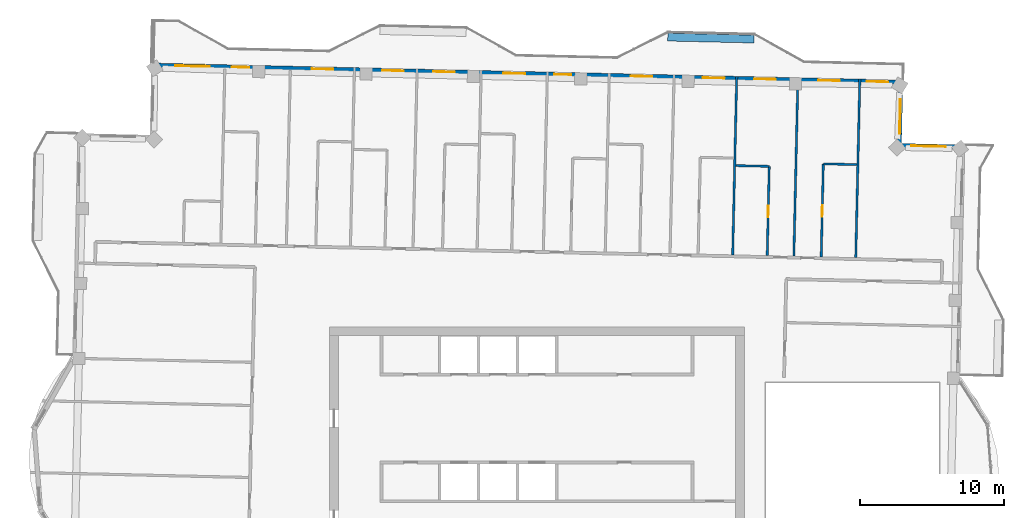
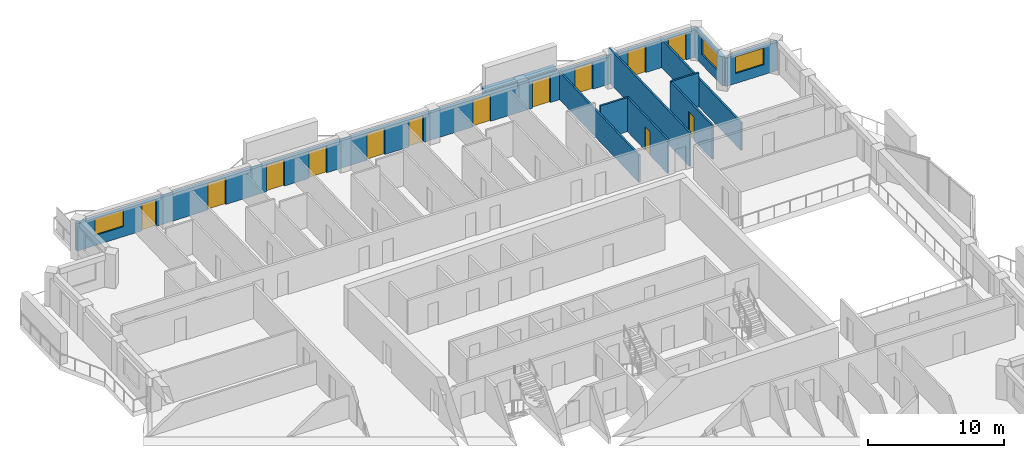
# One storey, part 10 of 15: 13 doors, 11 walls, 3 windows, 16 openings.
"""IFC4 building model written with IfcOpenShell, lengths in metres."""

from ifc_helpers import new_model, si_unit, direction, frame, frame_2d, origin, place, context, subcontext, project, spatial, rectangle, extrude, material, layer, layer_set, type_object, element, fill, save


model = new_model("IFC4")

# Units and contexts
model_context = context("Model", 3, precision=1e-05, world=origin(), true_north=direction((0.0, 1.0)))
body_context = subcontext(model_context, "Body", "Model", "MODEL_VIEW")
ifc_project = project(units=[si_unit("LENGTHUNIT", "METRE"), si_unit("AREAUNIT", "SQUARE_METRE"), si_unit("VOLUMEUNIT", "CUBIC_METRE"), si_unit("PLANEANGLEUNIT", "RADIAN"), si_unit("MASSUNIT", "GRAM", prefix="KILO")], contexts=[model_context])

# Site, building, storey
site_placement = place(None, origin())
site = spatial("IfcSite", under=ifc_project, at=site_placement, CompositionType="ELEMENT")
building_placement = place(site_placement, origin())
building = spatial("IfcBuilding", under=site, at=building_placement, Name="Mangrove Gate Tower", CompositionType="ELEMENT")
storey_placement = place(building_placement, frame((0.0, 0.0, 316.89990234375)))
storey = spatial("IfcBuildingStorey", under=building, at=storey_placement, Name="L81", CompositionType="ELEMENT", Elevation=316.89990234375)

# Wall, opening, window
ifc_material_1 = material(Name="Limestone", Category="masonry")
ifc_layer_1 = layer(ifc_material_1, 0.0400390625, Name="Limestone cladding")
ifc_material_2 = material(Name="Ventilated air gap")
ifc_layer_2 = layer(ifc_material_2, 0.0400390625, Name="Ventilated cavity")
ifc_material_3 = material(Name="Mineral wool insulation")
ifc_layer_3 = layer(ifc_material_3, 0.06005859375, Name="Insulation")
ifc_material_4 = material(Name="Breather membrane")
ifc_layer_4 = layer(ifc_material_4, 0.001953125, Name="Breather membrane")
ifc_material_5 = material(Name="Concrete C20/25 blockwork", Category="masonry")
ifc_layer_5 = layer(ifc_material_5, 0.14990234375, Name="Blockwork backing wall")
ifc_material_6 = material(Name="Gypsum plaster")
ifc_layer_6 = layer(ifc_material_6, 0.008056640625, Name="Internal plaster")
ifc_layer_set_1 = layer_set([ifc_layer_1, ifc_layer_2, ifc_layer_3, ifc_layer_4, ifc_layer_5, ifc_layer_6], Name="External wall 300 limestone cladding")
wall_type_1 = type_object("IfcWallType", Name="External wall 300 limestone cladding", PredefinedType="SOLIDWALL", material=ifc_layer_set_1)
wall_1_placement = place(storey_placement, frame((29.56298828125, 23.89892578125, 0.0), z_axis=(0.0, 0.0, 1.0), x_axis=(-0.999741204967, 0.022749133868, 0.0)))
wall_1 = element("IfcWall", 1, at=wall_1_placement, inside=storey, type_object=wall_type_1, Name="WALL-L81-N3", PredefinedType="SOLIDWALL", context=body_context, shape_type="SweptSolid", body=[
    extrude(rectangle(XDim=4.400146484375, YDim=0.300048828125, at=frame_2d((2.2001953125, 0.0))), origin(), (0.0, 0.0, 1.0), 2.550048828125),
])
opening_1_placement = place(wall_1_placement, frame((1.1640625, 0.0, 0.89990234375)))
opening_1 = element("IfcOpeningElement", 2, at=opening_1_placement, cuts=wall_1, Name="Opening W2", PredefinedType="OPENING", context=body_context, shape_type="SweptSolid", body=[
    extrude(rectangle(XDim=2.39990234375, YDim=1.5, at=frame_2d((1.199951171875, 0.75))), frame((0.0, 0.159912109375, 0.0), z_axis=(0.0, -1.0, 0.0), x_axis=(1.0, 0.0, 0.0)), (0.0, 0.0, 1.0), 0.320068359375),
])
ifc_material_7 = material(Name="Aluminium frame with double-glazed low-e glass", Category="aluminium")
window_type = type_object("IfcWindowType", Name="Corner room window 2400x1500", PartitioningType="DOUBLE_PANEL_VERTICAL", PredefinedType="WINDOW", material=ifc_material_7)
window_1_placement = place(opening_1_placement, origin())
window_1 = element("IfcWindow", 3, at=window_1_placement, inside=storey, type_object=window_type, Name="WIN-L81-N3-1", OverallHeight=1.5, OverallWidth=2.39990234375, PartitioningType="DOUBLE_PANEL_VERTICAL", PredefinedType="WINDOW", context=body_context, shape_type="SweptSolid", body=[
    extrude(rectangle(XDim=2.39990234375, YDim=1.5, at=frame_2d((1.199951171875, 0.75))), frame((0.0, 0.030029296875, 0.0), z_axis=(0.0, -1.0, 0.0), x_axis=(1.0, 0.0, 0.0)), (0.0, 0.0, 1.0), 0.06005859375),
])
fill(opening_1, window_1)

wall_2_placement = place(storey_placement, frame((25.1640625, 23.9990234375, 0.0), z_axis=(0.0, 0.0, 1.0), x_axis=(0.02269871331, 0.999742351016, 0.0)))
wall_2 = element("IfcWall", 4, at=wall_2_placement, inside=storey, type_object=wall_type_1, Name="WALL-L81-E4", PredefinedType="SOLIDWALL", context=body_context, shape_type="SweptSolid", body=[
    extrude(rectangle(XDim=4.399169921875, YDim=0.300048828125, at=frame_2d((2.19970703125, 0.0))), origin(), (0.0, 0.0, 1.0), 2.550048828125),
])
opening_2_placement = place(wall_2_placement, frame((0.825927734375, 0.0, 0.89990234375)))
opening_2 = element("IfcOpeningElement", 5, at=opening_2_placement, cuts=wall_2, Name="Opening W2", PredefinedType="OPENING", context=body_context, shape_type="SweptSolid", body=[
    extrude(rectangle(XDim=2.39990234375, YDim=1.5, at=frame_2d((1.199951171875, 0.75))), frame((0.0, 0.159912109375, 0.0), z_axis=(0.0, -1.0, 0.0), x_axis=(1.0, 0.0, 0.0)), (0.0, 0.0, 1.0), 0.320068359375),
])
window_2_placement = place(opening_2_placement, origin())
window_2 = element("IfcWindow", 6, at=window_2_placement, inside=storey, type_object=window_type, Name="WIN-L81-E4-1", OverallHeight=1.5, OverallWidth=2.39990234375, PartitioningType="DOUBLE_PANEL_VERTICAL", PredefinedType="WINDOW", context=body_context, shape_type="SweptSolid", body=[
    extrude(rectangle(XDim=2.39990234375, YDim=1.5, at=frame_2d((1.199951171875, 0.75))), frame((0.0, 0.030029296875, 0.0), z_axis=(0.0, -1.0, 0.0), x_axis=(1.0, 0.0, 0.0)), (0.0, 0.0, 1.0), 0.06005859375),
])
fill(opening_2, window_2)

# Wall, openings, doors, window
wall_3_placement = place(storey_placement, frame((25.263916015625, 28.39697265625, 0.0), z_axis=(0.0, 0.0, 1.0), x_axis=(-0.999742391375, 0.022696935658, 0.0)))
wall_3 = element("IfcWall", 7, at=wall_3_placement, inside=storey, type_object=wall_type_1, Name="WALL-L81-N5", PredefinedType="SOLIDWALL", context=body_context, shape_type="SweptSolid", body=[
    extrude(rectangle(XDim=51.900390625, YDim=0.300048828125, at=frame_2d((25.9501953125, 0.0))), origin(), (0.0, 0.0, 1.0), 2.4501953125),
])
opening_3_placement = place(wall_3_placement, frame((0.8740234375, 0.0, 0.0)))
opening_3 = element("IfcOpeningElement", 8, at=opening_3_placement, cuts=wall_3, Name="Opening BD1", PredefinedType="OPENING", context=body_context, shape_type="SweptSolid", body=[
    extrude(rectangle(XDim=1.5, YDim=2.39990234375, at=frame_2d((0.75, 1.199951171875))), frame((0.0, 0.159912109375, 0.0), z_axis=(0.0, -1.0, 0.0), x_axis=(1.0, 0.0, 0.0)), (0.0, 0.0, 1.0), 0.320068359375),
])
opening_4_placement = place(wall_3_placement, frame((4.240966796875, 0.0, 0.0)))
opening_4 = element("IfcOpeningElement", 9, at=opening_4_placement, cuts=wall_3, Name="Opening BD1", PredefinedType="OPENING", context=body_context, shape_type="SweptSolid", body=[
    extrude(rectangle(XDim=1.5, YDim=2.39990234375, at=frame_2d((0.75, 1.199951171875))), frame((0.0, 0.159912109375, 0.0), z_axis=(0.0, -1.0, 0.0), x_axis=(1.0, 0.0, 0.0)), (0.0, 0.0, 1.0), 0.320068359375),
])
opening_5_placement = place(wall_3_placement, frame((8.69091796875, 0.0, 0.0)))
opening_5 = element("IfcOpeningElement", 10, at=opening_5_placement, cuts=wall_3, Name="Opening BD1", PredefinedType="OPENING", context=body_context, shape_type="SweptSolid", body=[
    extrude(rectangle(XDim=1.5, YDim=2.39990234375, at=frame_2d((0.75, 1.199951171875))), frame((0.0, 0.159912109375, 0.0), z_axis=(0.0, -1.0, 0.0), x_axis=(1.0, 0.0, 0.0)), (0.0, 0.0, 1.0), 0.320068359375),
])
opening_6_placement = place(wall_3_placement, frame((12.2451171875, 0.0, 0.0)))
opening_6 = element("IfcOpeningElement", 11, at=opening_6_placement, cuts=wall_3, Name="Opening BD1", PredefinedType="OPENING", context=body_context, shape_type="SweptSolid", body=[
    extrude(rectangle(XDim=1.5, YDim=2.39990234375, at=frame_2d((0.75, 1.199951171875))), frame((0.0, 0.159912109375, 0.0), z_axis=(0.0, -1.0, 0.0), x_axis=(1.0, 0.0, 0.0)), (0.0, 0.0, 1.0), 0.320068359375),
])
opening_7_placement = place(wall_3_placement, frame((17.25, 0.0, 0.0)))
opening_7 = element("IfcOpeningElement", 12, at=opening_7_placement, cuts=wall_3, Name="Opening BD1", PredefinedType="OPENING", context=body_context, shape_type="SweptSolid", body=[
    extrude(rectangle(XDim=1.5, YDim=2.39990234375, at=frame_2d((0.75, 1.199951171875))), frame((0.0, 0.159912109375, 0.0), z_axis=(0.0, -1.0, 0.0), x_axis=(1.0, 0.0, 0.0)), (0.0, 0.0, 1.0), 0.320068359375),
])
opening_8_placement = place(wall_3_placement, frame((22.8740234375, 0.0, 0.0)))
opening_8 = element("IfcOpeningElement", 13, at=opening_8_placement, cuts=wall_3, Name="Opening BD2", PredefinedType="OPENING", context=body_context, shape_type="SweptSolid", body=[
    extrude(rectangle(XDim=1.199951171875, YDim=2.39990234375, at=frame_2d((0.60009765625, 1.199951171875))), frame((0.0, 0.159912109375, 0.0), z_axis=(0.0, -1.0, 0.0), x_axis=(1.0, 0.0, 0.0)), (0.0, 0.0, 1.0), 0.320068359375),
])
opening_9_placement = place(wall_3_placement, frame((26.10009765625, 0.0, 0.0)))
opening_9 = element("IfcOpeningElement", 14, at=opening_9_placement, cuts=wall_3, Name="Opening BD1", PredefinedType="OPENING", context=body_context, shape_type="SweptSolid", body=[
    extrude(rectangle(XDim=1.5, YDim=2.39990234375, at=frame_2d((0.75, 1.199951171875))), frame((0.0, 0.159912109375, 0.0), z_axis=(0.0, -1.0, 0.0), x_axis=(1.0, 0.0, 0.0)), (0.0, 0.0, 1.0), 0.320068359375),
])
opening_10_placement = place(wall_3_placement, frame((30.97705078125, 0.0, 0.0)))
opening_10 = element("IfcOpeningElement", 15, at=opening_10_placement, cuts=wall_3, Name="Opening BD1", PredefinedType="OPENING", context=body_context, shape_type="SweptSolid", body=[
    extrude(rectangle(XDim=1.5, YDim=2.39990234375, at=frame_2d((0.75, 1.199951171875))), frame((0.0, 0.159912109375, 0.0), z_axis=(0.0, -1.0, 0.0), x_axis=(1.0, 0.0, 0.0)), (0.0, 0.0, 1.0), 0.320068359375),
])
opening_11_placement = place(wall_3_placement, frame((34.530029296875, 0.0, 0.0)))
opening_11 = element("IfcOpeningElement", 16, at=opening_11_placement, cuts=wall_3, Name="Opening BD1", PredefinedType="OPENING", context=body_context, shape_type="SweptSolid", body=[
    extrude(rectangle(XDim=1.5, YDim=2.39990234375, at=frame_2d((0.75, 1.199951171875))), frame((0.0, 0.159912109375, 0.0), z_axis=(0.0, -1.0, 0.0), x_axis=(1.0, 0.0, 0.0)), (0.0, 0.0, 1.0), 0.320068359375),
])
opening_12_placement = place(wall_3_placement, frame((39.425048828125, 0.0, 0.0)))
opening_12 = element("IfcOpeningElement", 17, at=opening_12_placement, cuts=wall_3, Name="Opening BD1", PredefinedType="OPENING", context=body_context, shape_type="SweptSolid", body=[
    extrude(rectangle(XDim=1.5, YDim=2.39990234375, at=frame_2d((0.75, 1.199951171875))), frame((0.0, 0.159912109375, 0.0), z_axis=(0.0, -1.0, 0.0), x_axis=(1.0, 0.0, 0.0)), (0.0, 0.0, 1.0), 0.320068359375),
])
opening_13_placement = place(wall_3_placement, frame((45.259033203125, 0.0, 0.0)))
opening_13 = element("IfcOpeningElement", 18, at=opening_13_placement, cuts=wall_3, Name="Opening BD2", PredefinedType="OPENING", context=body_context, shape_type="SweptSolid", body=[
    extrude(rectangle(XDim=1.199951171875, YDim=2.39990234375, at=frame_2d((0.60009765625, 1.199951171875))), frame((0.0, 0.159912109375, 0.0), z_axis=(0.0, -1.0, 0.0), x_axis=(1.0, 0.0, 0.0)), (0.0, 0.0, 1.0), 0.320068359375),
])
opening_14_placement = place(wall_3_placement, frame((47.987060546875, 0.0, 0.89990234375)))
opening_14 = element("IfcOpeningElement", 19, at=opening_14_placement, cuts=wall_3, Name="Opening W2", PredefinedType="OPENING", context=body_context, shape_type="SweptSolid", body=[
    extrude(rectangle(XDim=2.39990234375, YDim=1.5, at=frame_2d((1.199951171875, 0.75))), frame((0.0, 0.159912109375, 0.0), z_axis=(0.0, -1.0, 0.0), x_axis=(1.0, 0.0, 0.0)), (0.0, 0.0, 1.0), 0.320068359375),
])
ifc_material_8 = material(Name="Aluminium frame with laminated clear glass", Category="aluminium")
door_type_1 = type_object("IfcDoorType", Name="Balcony sliding door 1200x2400", OperationType="SLIDING_TO_LEFT", PredefinedType="DOOR", material=ifc_material_8)
door_1_placement = place(opening_8_placement, origin())
door_1 = element("IfcDoor", 20, at=door_1_placement, inside=storey, type_object=door_type_1, Name="DOOR-L81-N5-6", OperationType="SLIDING_TO_LEFT", OverallHeight=2.39990234375, OverallWidth=1.199951171875, PredefinedType="DOOR", context=body_context, shape_type="SweptSolid", body=[
    extrude(rectangle(XDim=1.199951171875, YDim=2.39990234375, at=frame_2d((0.60009765625, 1.199951171875))), frame((0.0, 0.02490234375, 0.0), z_axis=(0.0, -1.0, 0.0), x_axis=(1.0, 0.0, 0.0)), (0.0, 0.0, 1.0), 0.050048828125),
])
fill(opening_8, door_1)
door_2_placement = place(opening_13_placement, origin())
door_2 = element("IfcDoor", 21, at=door_2_placement, inside=storey, type_object=door_type_1, Name="DOOR-L81-N5-11", OperationType="SLIDING_TO_LEFT", OverallHeight=2.39990234375, OverallWidth=1.199951171875, PredefinedType="DOOR", context=body_context, shape_type="SweptSolid", body=[
    extrude(rectangle(XDim=1.199951171875, YDim=2.39990234375, at=frame_2d((0.60009765625, 1.199951171875))), frame((0.0, 0.02490234375, 0.0), z_axis=(0.0, -1.0, 0.0), x_axis=(1.0, 0.0, 0.0)), (0.0, 0.0, 1.0), 0.050048828125),
])
fill(opening_13, door_2)
ifc_material_9 = material(Name="Aluminium frame with laminated clear glass", Category="aluminium")
door_type_2 = type_object("IfcDoorType", Name="Balcony sliding door 1500x2400", OperationType="SLIDING_TO_LEFT", PredefinedType="DOOR", material=ifc_material_9)
door_3_placement = place(opening_3_placement, origin())
door_3 = element("IfcDoor", 22, at=door_3_placement, inside=storey, type_object=door_type_2, Name="DOOR-L81-N5-1", OperationType="SLIDING_TO_LEFT", OverallHeight=2.39990234375, OverallWidth=1.5, PredefinedType="DOOR", context=body_context, shape_type="SweptSolid", body=[
    extrude(rectangle(XDim=1.5, YDim=2.39990234375, at=frame_2d((0.75, 1.199951171875))), frame((0.0, 0.02490234375, 0.0), z_axis=(0.0, -1.0, 0.0), x_axis=(1.0, 0.0, 0.0)), (0.0, 0.0, 1.0), 0.050048828125),
])
fill(opening_3, door_3)
door_4_placement = place(opening_4_placement, origin())
door_4 = element("IfcDoor", 23, at=door_4_placement, inside=storey, type_object=door_type_2, Name="DOOR-L81-N5-2", OperationType="SLIDING_TO_LEFT", OverallHeight=2.39990234375, OverallWidth=1.5, PredefinedType="DOOR", context=body_context, shape_type="SweptSolid", body=[
    extrude(rectangle(XDim=1.5, YDim=2.39990234375, at=frame_2d((0.75, 1.199951171875))), frame((0.0, 0.02490234375, 0.0), z_axis=(0.0, -1.0, 0.0), x_axis=(1.0, 0.0, 0.0)), (0.0, 0.0, 1.0), 0.050048828125),
])
fill(opening_4, door_4)
door_5_placement = place(opening_5_placement, origin())
door_5 = element("IfcDoor", 24, at=door_5_placement, inside=storey, type_object=door_type_2, Name="DOOR-L81-N5-3", OperationType="SLIDING_TO_LEFT", OverallHeight=2.39990234375, OverallWidth=1.5, PredefinedType="DOOR", context=body_context, shape_type="SweptSolid", body=[
    extrude(rectangle(XDim=1.5, YDim=2.39990234375, at=frame_2d((0.75, 1.199951171875))), frame((0.0, 0.02490234375, 0.0), z_axis=(0.0, -1.0, 0.0), x_axis=(1.0, 0.0, 0.0)), (0.0, 0.0, 1.0), 0.050048828125),
])
fill(opening_5, door_5)
door_6_placement = place(opening_6_placement, origin())
door_6 = element("IfcDoor", 25, at=door_6_placement, inside=storey, type_object=door_type_2, Name="DOOR-L81-N5-4", OperationType="SLIDING_TO_LEFT", OverallHeight=2.39990234375, OverallWidth=1.5, PredefinedType="DOOR", context=body_context, shape_type="SweptSolid", body=[
    extrude(rectangle(XDim=1.5, YDim=2.39990234375, at=frame_2d((0.75, 1.199951171875))), frame((0.0, 0.02490234375, 0.0), z_axis=(0.0, -1.0, 0.0), x_axis=(1.0, 0.0, 0.0)), (0.0, 0.0, 1.0), 0.050048828125),
])
fill(opening_6, door_6)
door_7_placement = place(opening_7_placement, origin())
door_7 = element("IfcDoor", 26, at=door_7_placement, inside=storey, type_object=door_type_2, Name="DOOR-L81-N5-5", OperationType="SLIDING_TO_LEFT", OverallHeight=2.39990234375, OverallWidth=1.5, PredefinedType="DOOR", context=body_context, shape_type="SweptSolid", body=[
    extrude(rectangle(XDim=1.5, YDim=2.39990234375, at=frame_2d((0.75, 1.199951171875))), frame((0.0, 0.02490234375, 0.0), z_axis=(0.0, -1.0, 0.0), x_axis=(1.0, 0.0, 0.0)), (0.0, 0.0, 1.0), 0.050048828125),
])
fill(opening_7, door_7)
door_8_placement = place(opening_9_placement, origin())
door_8 = element("IfcDoor", 27, at=door_8_placement, inside=storey, type_object=door_type_2, Name="DOOR-L81-N5-7", OperationType="SLIDING_TO_LEFT", OverallHeight=2.39990234375, OverallWidth=1.5, PredefinedType="DOOR", context=body_context, shape_type="SweptSolid", body=[
    extrude(rectangle(XDim=1.5, YDim=2.39990234375, at=frame_2d((0.75, 1.199951171875))), frame((0.0, 0.02490234375, 0.0), z_axis=(0.0, -1.0, 0.0), x_axis=(1.0, 0.0, 0.0)), (0.0, 0.0, 1.0), 0.050048828125),
])
fill(opening_9, door_8)
door_9_placement = place(opening_10_placement, origin())
door_9 = element("IfcDoor", 28, at=door_9_placement, inside=storey, type_object=door_type_2, Name="DOOR-L81-N5-8", OperationType="SLIDING_TO_LEFT", OverallHeight=2.39990234375, OverallWidth=1.5, PredefinedType="DOOR", context=body_context, shape_type="SweptSolid", body=[
    extrude(rectangle(XDim=1.5, YDim=2.39990234375, at=frame_2d((0.75, 1.199951171875))), frame((0.0, 0.02490234375, 0.0), z_axis=(0.0, -1.0, 0.0), x_axis=(1.0, 0.0, 0.0)), (0.0, 0.0, 1.0), 0.050048828125),
])
fill(opening_10, door_9)
door_10_placement = place(opening_11_placement, origin())
door_10 = element("IfcDoor", 29, at=door_10_placement, inside=storey, type_object=door_type_2, Name="DOOR-L81-N5-9", OperationType="SLIDING_TO_LEFT", OverallHeight=2.39990234375, OverallWidth=1.5, PredefinedType="DOOR", context=body_context, shape_type="SweptSolid", body=[
    extrude(rectangle(XDim=1.5, YDim=2.39990234375, at=frame_2d((0.75, 1.199951171875))), frame((0.0, 0.02490234375, 0.0), z_axis=(0.0, -1.0, 0.0), x_axis=(1.0, 0.0, 0.0)), (0.0, 0.0, 1.0), 0.050048828125),
])
fill(opening_11, door_10)
door_11_placement = place(opening_12_placement, origin())
door_11 = element("IfcDoor", 30, at=door_11_placement, inside=storey, type_object=door_type_2, Name="DOOR-L81-N5-10", OperationType="SLIDING_TO_LEFT", OverallHeight=2.39990234375, OverallWidth=1.5, PredefinedType="DOOR", context=body_context, shape_type="SweptSolid", body=[
    extrude(rectangle(XDim=1.5, YDim=2.39990234375, at=frame_2d((0.75, 1.199951171875))), frame((0.0, 0.02490234375, 0.0), z_axis=(0.0, -1.0, 0.0), x_axis=(1.0, 0.0, 0.0)), (0.0, 0.0, 1.0), 0.050048828125),
])
fill(opening_12, door_11)
window_3_placement = place(opening_14_placement, origin())
window_3 = element("IfcWindow", 31, at=window_3_placement, inside=storey, type_object=window_type, Name="WIN-L81-N5-12", OverallHeight=1.5, OverallWidth=2.39990234375, PartitioningType="DOUBLE_PANEL_VERTICAL", PredefinedType="WINDOW", context=body_context, shape_type="SweptSolid", body=[
    extrude(rectangle(XDim=2.39990234375, YDim=1.5, at=frame_2d((1.199951171875, 0.75))), frame((0.0, 0.030029296875, 0.0), z_axis=(0.0, -1.0, 0.0), x_axis=(1.0, 0.0, 0.0)), (0.0, 0.0, 1.0), 0.06005859375),
])
fill(opening_14, window_3)

# Wall
ifc_material_10 = material(Name="Gypsum board on steel stud, EI 60", Category="steel")
ifc_layer_7 = layer(ifc_material_10, 0.14990234375)
ifc_layer_set_2 = layer_set([ifc_layer_7], Name="Party wall 150 EI 60")
wall_type_2 = type_object("IfcWallType", Name="Party wall 150 EI 60", PredefinedType="PARTITIONING", material=ifc_layer_set_2)
wall_4_placement = place(storey_placement, frame((13.589111328125, 16.408935546875, 0.0), z_axis=(0.0, 0.0, 1.0), x_axis=(0.022661475803, 0.999743195783, 0.0)))
element("IfcWall", 32, at=wall_4_placement, inside=storey, type_object=wall_type_2, Name="WALL-L81-077", PredefinedType="PARTITIONING", context=body_context, shape_type="SweptSolid", body=[
    extrude(rectangle(XDim=12.400146484375, YDim=0.14990234375, at=frame_2d((6.2001953125, 0.0))), origin(), (0.0, 0.0, 1.0), 2.4501953125),
])

# Wall, opening, door
wall_5_placement = place(storey_placement, frame((15.988037109375, 16.35498046875, 0.0), z_axis=(0.0, 0.0, 1.0), x_axis=(0.022722299893, 0.999741815214, 0.0)))
wall_5 = element("IfcWall", 33, at=wall_5_placement, inside=storey, type_object=wall_type_2, Name="WALL-L81-078", PredefinedType="PARTITIONING", context=body_context, shape_type="SweptSolid", body=[
    extrude(rectangle(XDim=6.19970703125, YDim=0.14990234375, at=frame_2d((3.099853515625, 0.0))), origin(), (0.0, 0.0, 1.0), 3.050048828125),
])
opening_15_placement = place(wall_5_placement, frame((2.64990234375, 0.0, 0.0)))
opening_15 = element("IfcOpeningElement", 34, at=opening_15_placement, cuts=wall_5, Name="Opening ED", PredefinedType="OPENING", context=body_context, shape_type="SweptSolid", body=[
    extrude(rectangle(XDim=0.800048828125, YDim=2.10009765625, at=frame_2d((0.39990234375, 1.050048828125))), frame((0.0, 0.0849609375, 0.0), z_axis=(0.0, -1.0, 0.0), x_axis=(1.0, 0.0, 0.0)), (0.0, 0.0, 1.0), 0.169921875),
])
ifc_material_11 = material(Name="Timber door leaf", Category="wood")
door_type_3 = type_object("IfcDoorType", Name="En-suite door 800", OperationType="SINGLE_SWING_LEFT", PredefinedType="DOOR", material=ifc_material_11)
door_12_placement = place(opening_15_placement, origin())
door_12 = element("IfcDoor", 35, at=door_12_placement, inside=storey, type_object=door_type_3, Name="DOOR-L81-ENS-c312", OperationType="SINGLE_SWING_RIGHT", OverallHeight=2.10009765625, OverallWidth=0.800048828125, PredefinedType="DOOR", context=body_context, shape_type="SweptSolid", body=[
    extrude(rectangle(XDim=0.800048828125, YDim=2.10009765625, at=frame_2d((0.39990234375, 1.050048828125))), frame((0.0, 0.02490234375, 0.0), z_axis=(0.0, -1.0, 0.0), x_axis=(1.0, 0.0, 0.0)), (0.0, 0.0, 1.0), 0.050048828125),
])
fill(opening_15, door_12)

# Wall
wall_6_placement = place(storey_placement, frame((17.837890625, 16.31298828125, 0.0), z_axis=(0.0, 0.0, 1.0), x_axis=(0.022661475803, 0.999743195783, 0.0)))
element("IfcWall", 36, at=wall_6_placement, inside=storey, type_object=wall_type_2, Name="WALL-L81-079", PredefinedType="PARTITIONING", context=body_context, shape_type="SweptSolid", body=[
    extrude(rectangle(XDim=12.400146484375, YDim=0.14990234375, at=frame_2d((6.2001953125, 0.0))), origin(), (0.0, 0.0, 1.0), 3.050048828125),
])

# Wall, opening, door
wall_7_placement = place(storey_placement, frame((19.737060546875, 16.27001953125, 0.0), z_axis=(0.0, 0.0, 1.0), x_axis=(0.022752312182, 0.999741132639, 0.0)))
wall_7 = element("IfcWall", 37, at=wall_7_placement, inside=storey, type_object=wall_type_2, Name="WALL-L81-080", PredefinedType="PARTITIONING", context=body_context, shape_type="SweptSolid", body=[
    extrude(rectangle(XDim=6.459716796875, YDim=0.14990234375, at=frame_2d((3.22998046875, 0.0))), origin(), (0.0, 0.0, 1.0), 3.050048828125),
])
opening_16_placement = place(wall_7_placement, frame((2.780029296875, 0.0, 0.0)))
opening_16 = element("IfcOpeningElement", 38, at=opening_16_placement, cuts=wall_7, Name="Opening ED", PredefinedType="OPENING", context=body_context, shape_type="SweptSolid", body=[
    extrude(rectangle(XDim=0.800048828125, YDim=2.10009765625, at=frame_2d((0.39990234375, 1.050048828125))), frame((0.0, 0.0849609375, 0.0), z_axis=(0.0, -1.0, 0.0), x_axis=(1.0, 0.0, 0.0)), (0.0, 0.0, 1.0), 0.169921875),
])
door_13_placement = place(opening_16_placement, origin())
door_13 = element("IfcDoor", 39, at=door_13_placement, inside=storey, type_object=door_type_3, Name="DOOR-L81-ENS-c311", OperationType="SINGLE_SWING_LEFT", OverallHeight=2.10009765625, OverallWidth=0.800048828125, PredefinedType="DOOR", context=body_context, shape_type="SweptSolid", body=[
    extrude(rectangle(XDim=0.800048828125, YDim=2.10009765625, at=frame_2d((0.39990234375, 1.050048828125))), frame((0.0, 0.02490234375, 0.0), z_axis=(0.0, -1.0, 0.0), x_axis=(1.0, 0.0, 0.0)), (0.0, 0.0, 1.0), 0.050048828125),
])
fill(opening_16, door_13)

# Walls
wall_8_placement = place(storey_placement, frame((22.136962890625, 16.215087890625, 0.0), z_axis=(0.0, 0.0, 1.0), x_axis=(0.022661475803, 0.999743195783, 0.0)))
element("IfcWall", 40, at=wall_8_placement, inside=storey, type_object=wall_type_2, Name="WALL-L81-081", PredefinedType="PARTITIONING", context=body_context, shape_type="SweptSolid", body=[
    extrude(rectangle(XDim=12.400146484375, YDim=0.14990234375, at=frame_2d((6.2001953125, 0.0))), origin(), (0.0, 0.0, 1.0), 2.5),
])
wall_9_placement = place(storey_placement, frame((13.803955078125, 22.60595703125, 0.0), z_axis=(0.0, 0.0, 1.0), x_axis=(0.999740478815, -0.022781023197, 0.0)))
element("IfcWall", 41, at=wall_9_placement, inside=storey, type_object=wall_type_2, Name="WALL-L81-083", PredefinedType="PARTITIONING", context=body_context, shape_type="SweptSolid", body=[
    extrude(rectangle(XDim=2.325439453125, YDim=0.14990234375, at=frame_2d((1.16259765625, 0.0))), origin(), (0.0, 0.0, 1.0), 3.050048828125),
])
wall_10_placement = place(storey_placement, frame((19.884033203125, 22.72802734375, 0.0), z_axis=(0.0, 0.0, 1.0), x_axis=(0.999740260747, -0.02279059109, 0.0)))
element("IfcWall", 42, at=wall_10_placement, inside=storey, type_object=wall_type_2, Name="WALL-L81-085", PredefinedType="PARTITIONING", context=body_context, shape_type="SweptSolid", body=[
    extrude(rectangle(XDim=2.324462890625, YDim=0.14990234375, at=frame_2d((1.162109375, 0.0))), origin(), (0.0, 0.0, 1.0), 3.050048828125),
])
ifc_material_12 = material(Name="Concrete C32/40", Category="concrete")
ifc_layer_8 = layer(ifc_material_12, 0.199951171875, Name="Planter trough wall")
ifc_material_13 = material(Name="Bituminous waterproofing membrane")
ifc_layer_9 = layer(ifc_material_13, 0.0048828125, Name="Waterproofing")
ifc_material_14 = material(Name="Drainage board and gravel")
ifc_layer_10 = layer(ifc_material_14, 0.044921875, Name="Drainage layer")
ifc_material_15 = material(Name="Planting soil")
ifc_layer_11 = layer(ifc_material_15, 0.300048828125, Name="Growing medium")
ifc_layer_set_3 = layer_set([ifc_layer_8, ifc_layer_9, ifc_layer_10, ifc_layer_11], Name="Planter wall 550 C32/40")
wall_type_3 = type_object("IfcWallType", Name="Planter wall 550 C32/40", PredefinedType="USERDEFINED", material=ifc_layer_set_3)
wall_11_placement = place(storey_placement, frame((9.0810546875, 31.530029296875, 0.0), z_axis=(0.0, 0.0, 1.0), x_axis=(0.999743094499, -0.022665943652, 0.0)))
element("IfcWall", 43, at=wall_11_placement, inside=storey, type_object=wall_type_3, Name="PLANTER L81 N0.1", ObjectType="PLANTER", PredefinedType="USERDEFINED", context=body_context, shape_type="SweptSolid", body=[
    extrude(rectangle(XDim=5.99951171875, YDim=0.550048828125, at=frame_2d((2.999755859375, 0.0))), origin(), (0.0, 0.0, 1.0), 0.800048828125),
])

save(model, "model.ifc")
